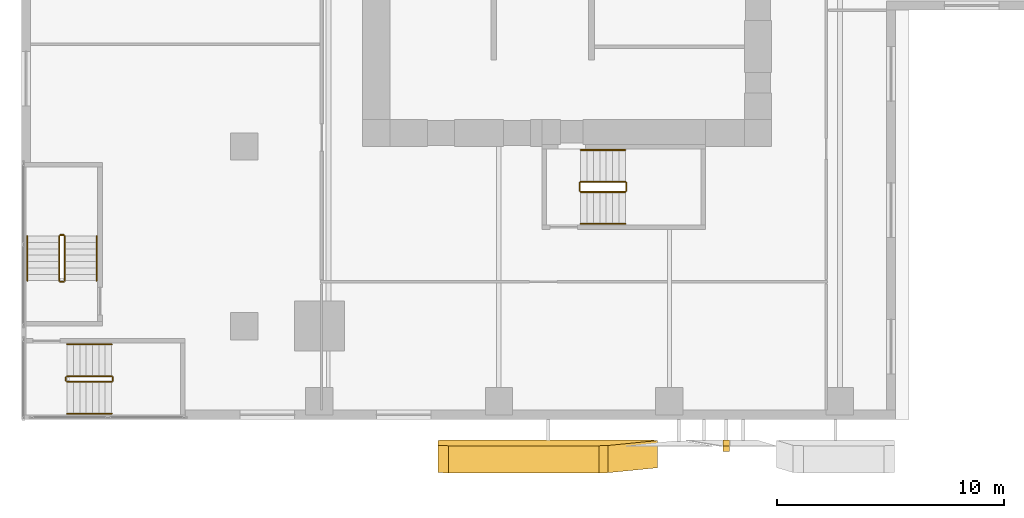
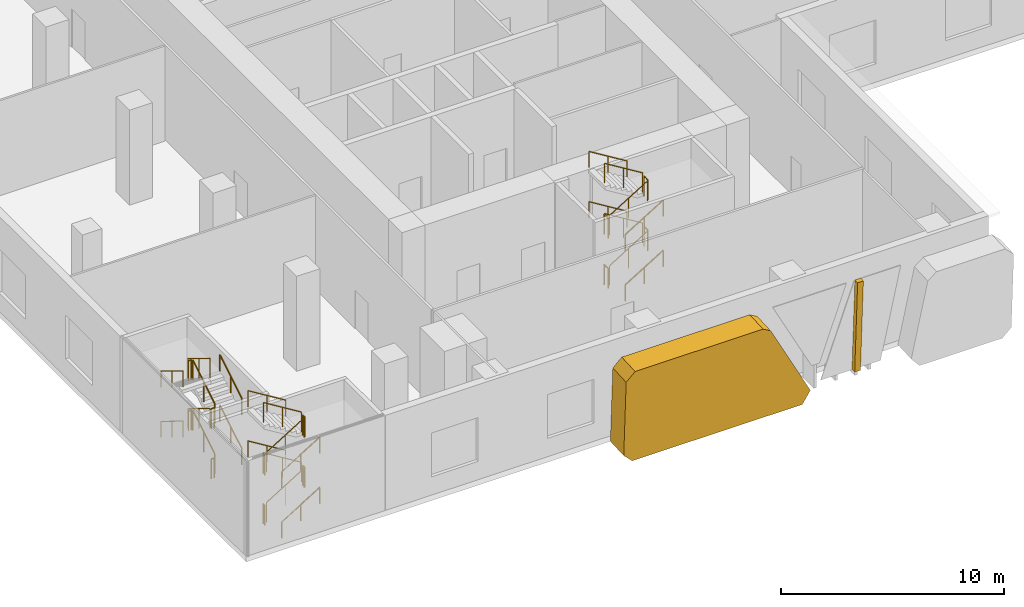
# One storey, part 17 of 23: 36 railings, 2 coverings.
"""IFC4 building model written with IfcOpenShell, lengths in metres."""

from ifc_helpers import new_model, si_unit, direction, frame, origin, origin_2d, place, context, subcontext, project, spatial, polyline, circle, outline, extrude, source, transform, mapped, material, layer, layer_set, type_object, element, save


model = new_model("IFC4")

# Units and contexts
model_context = context("Model", 3, precision=1e-05, world=origin(), true_north=direction((0.0, 1.0)))
body_context = subcontext(model_context, "Body", "Model", "MODEL_VIEW")
ifc_project = project(units=[si_unit("LENGTHUNIT", "METRE"), si_unit("AREAUNIT", "SQUARE_METRE"), si_unit("VOLUMEUNIT", "CUBIC_METRE"), si_unit("PLANEANGLEUNIT", "RADIAN"), si_unit("MASSUNIT", "GRAM", prefix="KILO")], contexts=[model_context])

# Site, building, storey
site_placement = place(None, origin())
site = spatial("IfcSite", under=ifc_project, at=site_placement, CompositionType="ELEMENT")
building_placement = place(site_placement, origin())
building = spatial("IfcBuilding", under=site, at=building_placement, Name="Khomas Fold Tower", CompositionType="ELEMENT")
storey_placement = place(building_placement, frame((0.0, 0.0, 7.5)))
storey = spatial("IfcBuildingStorey", under=building, at=storey_placement, Name="L01", CompositionType="ELEMENT", Elevation=7.5)

# Coverings
ifc_material_1 = material(Name="Natural stone cladding", Category="masonry")
ifc_layer_1 = layer(ifc_material_1, 0.25)
ifc_layer_set_1 = layer_set([ifc_layer_1], Name="Natural stone cladding")
covering_type_1 = type_object("IfcCoveringType", Name="SK-Karibib marble stone mullion", PredefinedType="CLADDING", material=ifc_layer_set_1)
covering_1_placement = place(storey_placement, frame((22.14990234375, -1.16455078125, 5.050048828125), z_axis=(0.0, 0.998629673312, 0.052333312346), x_axis=(0.0, 0.052333312346, -0.998629673312)))
element("IfcCovering", 1, at=covering_1_placement, inside=storey, type_object=covering_type_1, Name="OUTER SKIN mullion L01 SM102-2", PredefinedType="CLADDING", context=body_context, shape_type="SweptSolid", body=[
    extrude(outline(polyline([(0.0, 0.0), (5.056978540780837, 0.0), (5.056978540780837, 0.29980468750000006), (0.0, 0.29980468750000006), (0.0, 0.0)])), origin(), (0.0, 0.0, -1.0), 0.25),
])
ifc_material_2 = material(Name="Natural stone cladding", Category="masonry")
ifc_layer_2 = layer(ifc_material_2, 1.199951171875)
ifc_layer_set_2 = layer_set([ifc_layer_2], Name="Natural stone cladding")
covering_type_2 = type_object("IfcCoveringType", Name="SK-Karibib marble stone panel", PredefinedType="CLADDING", material=ifc_layer_set_2)
covering_2_placement = place(storey_placement, frame((9.330078125, -0.923583984375, 0.449951171875), z_axis=(8.4472e-07, 0.998629308409, 0.052340274991), x_axis=(2e-12, -0.052340274991, 0.998629308409)))
element("IfcCovering", 2, at=covering_2_placement, inside=storey, type_object=covering_type_2, Name="OUTER SKIN leaf L01 SS03-1", PredefinedType="CLADDING", context=body_context, shape_type="SweptSolid", body=[
    extrude(outline(polyline([(0.0, 0.0), (4.155843456705377, 2.6469779601696886e-23), (4.606404609488961, 0.4499511717511545), (4.606404609504213, 7.076660156123791), (4.365604017999363, 7.474853515628113), (0.20976056129901008, 9.657714843752334), (-0.4505739311486864, 9.259521484289435), (-0.4505739311689619, 0.4499511717925767), (0.0, 0.0)])), origin(), (0.0, 0.0, -1.0), 1.199951171875),
])

# Railings
ifc_material_3 = material(Name="Steel balustrade", Category="steel")
railing_type_1 = type_object("IfcRailingType", Name="Stair guard", PredefinedType="GUARDRAIL", material=ifc_material_3)
shared_shape_1 = source(origin(), body_context, "Body", "SweptSolid", [
    extrude(circle(Radius=0.02392578125, at=origin_2d()), frame((0.0, 0.0, 1.076171875), z_axis=(0.0, 1.0, 0.0), x_axis=(-1.0, 0.0, 0.0)), (0.0, 0.0, 1.0), 0.349853515625),
    extrude(circle(Radius=0.02099609375, at=origin_2d()), origin(), (0.0, 0.0, 1.0), 1.052001953125),
    extrude(circle(Radius=0.02099609375, at=origin_2d()), frame((0.0, 0.349853515625, 0.0)), (0.0, 0.0, 1.0), 1.052001953125),
])
for number, where, name in (
    (3, (17.610107421875, 10.050048828125, 1.375), "L01 ST2 stair guard 2"),
    (4, (15.550048828125, 10.050048828125, 2.75), "L01 ST2 stair guard 4"),
    (5, (17.610107421875, 10.050048828125, 4.125), "L01 ST2 stair guard 6"),
    (6, (15.550048828125, 10.050048828125, 0.0), "L01 ST2 stair guard 8"),
):
    element("IfcRailing", number, at=place(storey_placement, frame(where)), inside=storey, type_object=railing_type_1, Name=name, PredefinedType="GUARDRAIL", context=body_context, shape_type="MappedRepresentation", body=[
        mapped(shared_shape_1, transform((0.0, 0.0, 0.0))),
    ])
shared_shape_2 = source(origin(), body_context, "Body", "SweptSolid", [
    extrude(circle(Radius=0.02392578125, at=origin_2d()), frame((0.0, 0.0, 1.076171875), z_axis=(0.852240978134, 0.0, 0.523149419562), x_axis=(0.0, 1.0, 0.0)), (0.0, 0.0, 1.0), 2.2998046875),
    extrude(circle(Radius=0.02099609375, at=origin_2d()), origin(), (0.0, 0.0, 1.0), 1.052001953125),
    extrude(circle(Radius=0.02099609375, at=origin_2d()), frame((0.97998046875, 0.0, 0.6015625)), (0.0, 0.0, 1.0), 1.052001953125),
    extrude(circle(Radius=0.02099609375, at=origin_2d()), frame((1.9599609375, 0.0, 1.203125)), (0.0, 0.0, 1.0), 1.052001953125),
])
for number, where, name in (
    (7, (15.60009765625, 10.0, 0.171875), "L01 ST2 stair guard 1"),
    (8, (15.60009765625, 10.0, 2.921875), "L01 ST2 stair guard 5"),
    (9, (-7.0, 1.64990234375, 0.171875), "L01 PS1 stair guard 1"),
    (10, (-7.0, 1.64990234375, 2.921875), "L01 PS1 stair guard 5"),
):
    element("IfcRailing", number, at=place(storey_placement, frame(where)), inside=storey, type_object=railing_type_1, Name=name, PredefinedType="GUARDRAIL", context=body_context, shape_type="MappedRepresentation", body=[
        mapped(shared_shape_2, transform((0.0, 0.0, 0.0))),
    ])
shared_shape_3 = source(origin(), body_context, "Body", "SweptSolid", [
    extrude(circle(Radius=0.02392578125, at=origin_2d()), frame((0.0, 0.0, 1.076171875), z_axis=(-0.852240978134, 0.0, 0.523149419562), x_axis=(0.0, -1.0, 0.0)), (0.0, 0.0, 1.0), 2.2998046875),
    extrude(circle(Radius=0.02099609375, at=origin_2d()), origin(), (0.0, 0.0, 1.0), 1.052001953125),
    extrude(circle(Radius=0.02099609375, at=origin_2d()), frame((-0.97998046875, 0.0, 0.6015625)), (0.0, 0.0, 1.0), 1.052001953125),
    extrude(circle(Radius=0.02099609375, at=origin_2d()), frame((-1.9599609375, 0.0, 1.203125)), (0.0, 0.0, 1.0), 1.052001953125),
])
for number, where, name in (
    (11, (17.56005859375, 10.449951171875, 1.546875), "L01 ST2 stair guard 3"),
    (12, (17.56005859375, 10.449951171875, 4.296875), "L01 ST2 stair guard 7"),
    (13, (-5.0400390625, 1.89990234375, 1.546875), "L01 PS1 stair guard 3"),
    (14, (-5.0400390625, 1.89990234375, 4.296875), "L01 PS1 stair guard 7"),
):
    element("IfcRailing", number, at=place(storey_placement, frame(where)), inside=storey, type_object=railing_type_1, Name=name, PredefinedType="GUARDRAIL", context=body_context, shape_type="MappedRepresentation", body=[
        mapped(shared_shape_3, transform((0.0, 0.0, 0.0))),
    ])
ifc_material_4 = material(Name="Steel handrail", Category="steel")
railing_type_2 = type_object("IfcRailingType", Name="Stair handrail", PredefinedType="HANDRAIL", material=ifc_material_4)
shared_shape_4 = source(origin(), body_context, "Body", "SweptSolid", [
    extrude(circle(Radius=0.02392578125, at=origin_2d()), frame((0.0, 0.0, 0.8759765625), z_axis=(0.852240978134, 0.0, 0.523149419562), x_axis=(0.0, 1.0, 0.0)), (0.0, 0.0, 1.0), 2.2998046875),
    extrude(circle(Radius=0.02099609375, at=origin_2d()), origin(), (0.0, 0.0, 1.0), 0.851806640625),
    extrude(circle(Radius=0.02099609375, at=origin_2d()), frame((0.97998046875, 0.0, 0.6015625)), (0.0, 0.0, 1.0), 0.851806640625),
    extrude(circle(Radius=0.02099609375, at=origin_2d()), frame((1.9599609375, 0.0, 1.203125)), (0.0, 0.0, 1.0), 0.851806640625),
])
for number, where, name in (
    (15, (15.60009765625, 8.60009765625, 0.171875), "L01 ST2 stair handrail 1"),
    (16, (15.60009765625, 8.60009765625, 2.921875), "L01 ST2 stair handrail 3"),
    (17, (-7.0, 0.25, 0.171875), "L01 PS1 stair handrail 1"),
    (18, (-7.0, 0.25, 2.921875), "L01 PS1 stair handrail 3"),
):
    element("IfcRailing", number, at=place(storey_placement, frame(where)), inside=storey, type_object=railing_type_2, Name=name, PredefinedType="HANDRAIL", context=body_context, shape_type="MappedRepresentation", body=[
        mapped(shared_shape_4, transform((0.0, 0.0, 0.0))),
    ])
shared_shape_5 = source(origin(), body_context, "Body", "SweptSolid", [
    extrude(circle(Radius=0.02392578125, at=origin_2d()), frame((0.0, 0.0, 0.8759765625), z_axis=(-0.852240978134, 0.0, 0.523149419562), x_axis=(0.0, -1.0, 0.0)), (0.0, 0.0, 1.0), 2.2998046875),
    extrude(circle(Radius=0.02099609375, at=origin_2d()), origin(), (0.0, 0.0, 1.0), 0.851806640625),
    extrude(circle(Radius=0.02099609375, at=origin_2d()), frame((-0.97998046875, 0.0, 0.6015625)), (0.0, 0.0, 1.0), 0.851806640625),
    extrude(circle(Radius=0.02099609375, at=origin_2d()), frame((-1.9599609375, 0.0, 1.203125)), (0.0, 0.0, 1.0), 0.851806640625),
])
for number, where, name in (
    (19, (17.56005859375, 11.85009765625, 1.546875), "L01 ST2 stair handrail 2"),
    (20, (17.56005859375, 11.85009765625, 4.296875), "L01 ST2 stair handrail 4"),
    (21, (-5.0400390625, 3.300048828125, 1.546875), "L01 PS1 stair handrail 2"),
    (22, (-5.0400390625, 3.300048828125, 4.296875), "L01 PS1 stair handrail 4"),
):
    element("IfcRailing", number, at=place(storey_placement, frame(where)), inside=storey, type_object=railing_type_2, Name=name, PredefinedType="HANDRAIL", context=body_context, shape_type="MappedRepresentation", body=[
        mapped(shared_shape_5, transform((0.0, 0.0, 0.0))),
    ])
shared_shape_6 = source(origin(), body_context, "Body", "SweptSolid", [
    extrude(circle(Radius=0.02392578125, at=origin_2d()), frame((0.0, 0.0, 1.076171875), z_axis=(0.0, 1.0, 0.0), x_axis=(-1.0, 0.0, 0.0)), (0.0, 0.0, 1.0), 0.150146484375),
    extrude(circle(Radius=0.02099609375, at=origin_2d()), origin(), (0.0, 0.0, 1.0), 1.052001953125),
    extrude(circle(Radius=0.02099609375, at=origin_2d()), frame((0.0, 0.150146484375, 0.0)), (0.0, 0.0, 1.0), 1.052001953125),
])
for number, where, name in (
    (23, (-4.989990234375, 1.699951171875, 1.375), "L01 PS1 stair guard 2"),
    (24, (-7.050048828125, 1.699951171875, 2.75), "L01 PS1 stair guard 4"),
    (25, (-4.989990234375, 1.699951171875, 4.125), "L01 PS1 stair guard 6"),
    (26, (-7.050048828125, 1.699951171875, 0.0), "L01 PS1 stair guard 8"),
):
    element("IfcRailing", number, at=place(storey_placement, frame(where)), inside=storey, type_object=railing_type_1, Name=name, PredefinedType="GUARDRAIL", context=body_context, shape_type="MappedRepresentation", body=[
        mapped(shared_shape_6, transform((0.0, 0.0, 0.0))),
    ])
shared_shape_7 = source(origin(), body_context, "Body", "SweptSolid", [
    extrude(circle(Radius=0.02392578125, at=origin_2d()), frame((0.0, 0.0, 1.076171875), z_axis=(-1.0, 0.0, 0.0), x_axis=(0.0, -1.0, 0.0)), (0.0, 0.0, 1.0), 0.150146484375),
    extrude(circle(Radius=0.02099609375, at=origin_2d()), origin(), (0.0, 0.0, 1.0), 1.052001953125),
    extrude(circle(Radius=0.02099609375, at=origin_2d()), frame((-0.150146484375, 0.0, 0.0)), (0.0, 0.0, 1.0), 1.052001953125),
])
for number, where, name in (
    (27, (-7.14990234375, 8.110107421875, 1.375), "L01 PS2 stair guard 2"),
    (28, (-7.14990234375, 6.050048828125, 2.75), "L01 PS2 stair guard 4"),
    (29, (-7.14990234375, 8.110107421875, 4.125), "L01 PS2 stair guard 6"),
    (30, (-7.14990234375, 6.050048828125, 0.0), "L01 PS2 stair guard 8"),
):
    element("IfcRailing", number, at=place(storey_placement, frame(where)), inside=storey, type_object=railing_type_1, Name=name, PredefinedType="GUARDRAIL", context=body_context, shape_type="MappedRepresentation", body=[
        mapped(shared_shape_7, transform((0.0, 0.0, 0.0))),
    ])
shared_shape_8 = source(origin(), body_context, "Body", "SweptSolid", [
    extrude(circle(Radius=0.02392578125, at=origin_2d()), frame((0.0, 0.0, 1.076171875), z_axis=(0.0, 0.852240978134, 0.523149419562), x_axis=(-1.0, 0.0, 0.0)), (0.0, 0.0, 1.0), 2.2998046875),
    extrude(circle(Radius=0.02099609375, at=origin_2d()), origin(), (0.0, 0.0, 1.0), 1.052001953125),
    extrude(circle(Radius=0.02099609375, at=origin_2d()), frame((0.0, 0.97998046875, 0.6015625)), (0.0, 0.0, 1.0), 1.052001953125),
    extrude(circle(Radius=0.02099609375, at=origin_2d()), frame((0.0, 1.9599609375, 1.203125)), (0.0, 0.0, 1.0), 1.052001953125),
])
for number, where, name in (
    (31, (-7.10009765625, 6.10009765625, 0.171875), "L01 PS2 stair guard 1"),
    (32, (-7.10009765625, 6.10009765625, 2.921875), "L01 PS2 stair guard 5"),
):
    element("IfcRailing", number, at=place(storey_placement, frame(where)), inside=storey, type_object=railing_type_1, Name=name, PredefinedType="GUARDRAIL", context=body_context, shape_type="MappedRepresentation", body=[
        mapped(shared_shape_8, transform((0.0, 0.0, 0.0))),
    ])
shared_shape_9 = source(origin(), body_context, "Body", "SweptSolid", [
    extrude(circle(Radius=0.02392578125, at=origin_2d()), frame((0.0, 0.0, 1.076171875), z_axis=(0.0, -0.852240978134, 0.523149419562), x_axis=(1.0, 0.0, 0.0)), (0.0, 0.0, 1.0), 2.2998046875),
    extrude(circle(Radius=0.02099609375, at=origin_2d()), origin(), (0.0, 0.0, 1.0), 1.052001953125),
    extrude(circle(Radius=0.02099609375, at=origin_2d()), frame((0.0, -0.97998046875, 0.6015625)), (0.0, 0.0, 1.0), 1.052001953125),
    extrude(circle(Radius=0.02099609375, at=origin_2d()), frame((0.0, -1.9599609375, 1.203125)), (0.0, 0.0, 1.0), 1.052001953125),
])
for number, where, name in (
    (33, (-7.35009765625, 8.06005859375, 1.546875), "L01 PS2 stair guard 3"),
    (34, (-7.35009765625, 8.06005859375, 4.296875), "L01 PS2 stair guard 7"),
):
    element("IfcRailing", number, at=place(storey_placement, frame(where)), inside=storey, type_object=railing_type_1, Name=name, PredefinedType="GUARDRAIL", context=body_context, shape_type="MappedRepresentation", body=[
        mapped(shared_shape_9, transform((0.0, 0.0, 0.0))),
    ])
shared_shape_10 = source(origin(), body_context, "Body", "SweptSolid", [
    extrude(circle(Radius=0.02392578125, at=origin_2d()), frame((0.0, 0.0, 0.8759765625), z_axis=(0.0, 0.852240978134, 0.523149419562), x_axis=(-1.0, 0.0, 0.0)), (0.0, 0.0, 1.0), 2.2998046875),
    extrude(circle(Radius=0.02099609375, at=origin_2d()), origin(), (0.0, 0.0, 1.0), 0.851806640625),
    extrude(circle(Radius=0.02099609375, at=origin_2d()), frame((0.0, 0.97998046875, 0.6015625)), (0.0, 0.0, 1.0), 0.851806640625),
    extrude(circle(Radius=0.02099609375, at=origin_2d()), frame((0.0, 1.9599609375, 1.203125)), (0.0, 0.0, 1.0), 0.851806640625),
])
for number, where, name in (
    (35, (-5.699951171875, 6.10009765625, 0.171875), "L01 PS2 stair handrail 1"),
    (36, (-5.699951171875, 6.10009765625, 2.921875), "L01 PS2 stair handrail 3"),
):
    element("IfcRailing", number, at=place(storey_placement, frame(where)), inside=storey, type_object=railing_type_2, Name=name, PredefinedType="HANDRAIL", context=body_context, shape_type="MappedRepresentation", body=[
        mapped(shared_shape_10, transform((0.0, 0.0, 0.0))),
    ])
shared_shape_11 = source(origin(), body_context, "Body", "SweptSolid", [
    extrude(circle(Radius=0.02392578125, at=origin_2d()), frame((0.0, 0.0, 0.8759765625), z_axis=(0.0, -0.852240978134, 0.523149419562), x_axis=(1.0, 0.0, 0.0)), (0.0, 0.0, 1.0), 2.2998046875),
    extrude(circle(Radius=0.02099609375, at=origin_2d()), origin(), (0.0, 0.0, 1.0), 0.851806640625),
    extrude(circle(Radius=0.02099609375, at=origin_2d()), frame((0.0, -0.97998046875, 0.6015625)), (0.0, 0.0, 1.0), 0.851806640625),
    extrude(circle(Radius=0.02099609375, at=origin_2d()), frame((0.0, -1.9599609375, 1.203125)), (0.0, 0.0, 1.0), 0.851806640625),
])
for number, where, name in (
    (37, (-8.75, 8.06005859375, 1.546875), "L01 PS2 stair handrail 2"),
    (38, (-8.75, 8.06005859375, 4.296875), "L01 PS2 stair handrail 4"),
):
    element("IfcRailing", number, at=place(storey_placement, frame(where)), inside=storey, type_object=railing_type_2, Name=name, PredefinedType="HANDRAIL", context=body_context, shape_type="MappedRepresentation", body=[
        mapped(shared_shape_11, transform((0.0, 0.0, 0.0))),
    ])

save(model, "model.ifc")
